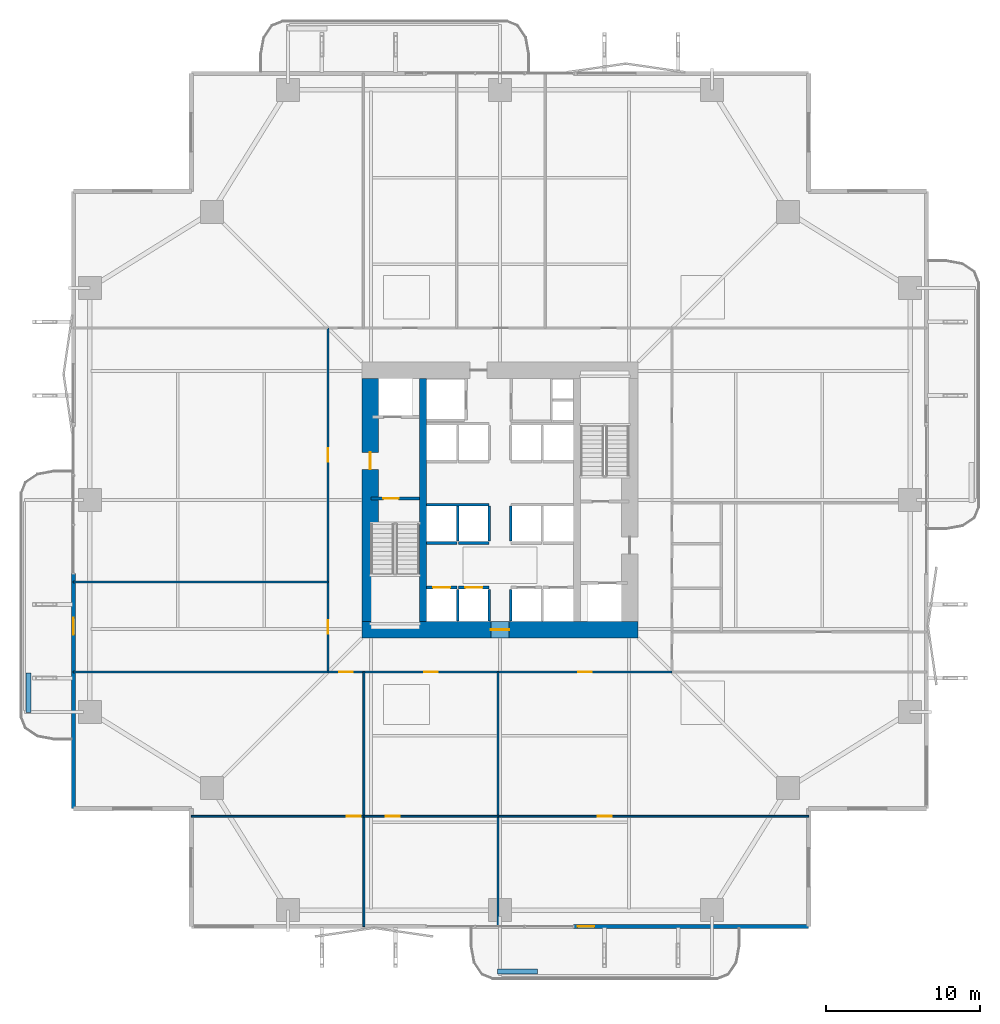
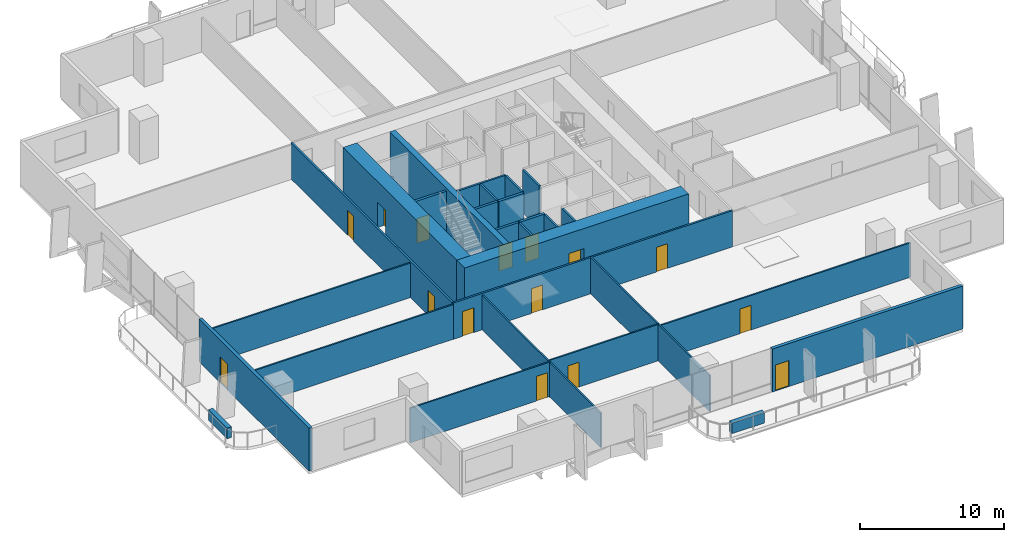
# One storey, part 17 of 24: 28 walls, 15 doors, 15 openings.
"""IFC4 building model written with IfcOpenShell, lengths in metres."""

import ifcopenshell
import ifcopenshell.guid

model = None  # the IFC model being written
_history = None  # IfcOwnerHistory: only IFC2X3 demands one
_inside = {}  # id of a spatial element -> (the spatial element, [elements in it])
_under = {}  # id of a project, library or spatial element -> (it, [spatial elements below it])
_declared = {}  # id of a project -> (the project, [libraries it declares])
_typed = {}  # id of a type object -> (the type object, [elements of that type])
_made_of = {}  # id of a material, layer set ... -> (it, [elements and type objects made of it])


def new_model(schema):
    """Start an empty IFC model of exactly this schema.

    Asked for "IFC4X3", IfcOpenShell would pick the latest addendum, in which some entities
    have other attributes; the version numbers below select the first issue.
    IFC2X3 requires an IfcOwnerHistory on every rooted entity: one is made here for all.
    """
    global model, _history
    if schema == "IFC4X3":
        model = ifcopenshell.file(schema_version=(4, 3, 0, 0))
    else:
        model = ifcopenshell.file(schema=schema)
    _inside.clear()
    _under.clear()
    _declared.clear()
    _typed.clear()
    _made_of.clear()
    _history = None
    if model.schema == "IFC2X3":
        org = make("IfcOrganization", Name="unknown")
        user = make(
            "IfcPersonAndOrganization",
            ThePerson=make("IfcPerson", FamilyName="unknown"),
            TheOrganization=org,
        )
        app = make(
            "IfcApplication",
            ApplicationDeveloper=org,
            Version="unknown",
            ApplicationFullName="unknown",
            ApplicationIdentifier="unknown",
        )
        _history = make(
            "IfcOwnerHistory",
            OwningUser=user,
            OwningApplication=app,
            ChangeAction="ADDED",
            CreationDate=0,
        )
    return model


def make(cls, **values):
    """One entity of the class cls with the attributes given. An attribute that is None is left unset."""
    return model.create_entity(
        cls, **{name: value for name, value in values.items() if value is not None}
    )


def rooted(cls, **values):
    """An entity with a GlobalId (a new one), such as an element, a storey or a relation."""
    return make(cls, GlobalId=ifcopenshell.guid.new(), OwnerHistory=_history, **values)


def si_unit(unit_type, name, prefix=None):
    """IfcSIUnit, for example si_unit("LENGTHUNIT", "METRE", prefix="MILLI")."""
    return make("IfcSIUnit", UnitType=unit_type, Prefix=prefix, Name=name)


def assignment(units):
    """IfcUnitAssignment: the units of a project."""
    return None if units is None else make("IfcUnitAssignment", Units=units)


def point(xyz):
    """IfcCartesianPoint."""
    return None if xyz is None else make("IfcCartesianPoint", Coordinates=xyz)


def direction(xyz):
    """IfcDirection."""
    return None if xyz is None else make("IfcDirection", DirectionRatios=xyz)


def frame(location, z_axis=None, x_axis=None):
    """IfcAxis2Placement3D, a coordinate frame: its origin and axes. An axis left out is left unset."""
    return make(
        "IfcAxis2Placement3D",
        Location=point(location),
        Axis=direction(z_axis),
        RefDirection=direction(x_axis),
    )


def frame_2d(location, x_axis=None):
    """IfcAxis2Placement2D, a coordinate frame in the plane: its origin and x axis."""
    return make(
        "IfcAxis2Placement2D", Location=point(location), RefDirection=direction(x_axis)
    )


def origin():
    """The frame at (0, 0, 0) with its axes left unset."""
    return frame((0.0, 0.0, 0.0))


def place(relative_to, where):
    """IfcLocalPlacement: puts the frame where relative to a parent placement (None: the world)."""
    return make(
        "IfcLocalPlacement", PlacementRelTo=relative_to, RelativePlacement=where
    )


def context(
    kind, dimensions, precision=None, world=None, true_north=None, identifier=None
):
    """IfcGeometricRepresentationContext, for example the 3D "Model" context."""
    return make(
        "IfcGeometricRepresentationContext",
        ContextIdentifier=identifier,
        ContextType=kind,
        CoordinateSpaceDimension=dimensions,
        Precision=precision,
        WorldCoordinateSystem=world,
        TrueNorth=true_north,
    )


def subcontext(parent, identifier, kind, view, scale=None):
    """IfcGeometricRepresentationSubContext, for example "Body" below "Model"."""
    return make(
        "IfcGeometricRepresentationSubContext",
        ContextIdentifier=identifier,
        ContextType=kind,
        ParentContext=parent,
        TargetScale=scale,
        TargetView=view,
    )


def project(units=None, contexts=None):
    """IfcProject with its units and contexts."""
    return rooted(
        "IfcProject",
        Name="project",
        RepresentationContexts=contexts,
        UnitsInContext=assignment(units),
    )


def spatial(cls, under=None, at=None, **own):
    """A site, building, storey or space (cls), placed at a placement, below another one or the project."""
    s = rooted(cls, ObjectPlacement=at, **own)
    if under is not None:
        _under.setdefault(under.id(), (under, []))[1].append(s)
    return s


def profile(cls, at=None, kind="AREA", **sizes):
    """A parametric profile (cls). Its sizes go by their IFC names, for example OverallWidth=200.0."""
    return make(cls, ProfileType=kind, Position=at, **sizes)


def rectangle(**sizes):
    """IfcRectangleProfileDef."""
    return profile("IfcRectangleProfileDef", **sizes)


def extrude(swept, where, along, depth):
    """IfcExtrudedAreaSolid: the profile swept, set in the frame where, extruded along a direction by depth."""
    return make(
        "IfcExtrudedAreaSolid",
        SweptArea=swept,
        Position=where,
        ExtrudedDirection=direction(along),
        Depth=depth,
    )


def shape(context_of_items, identifier, shape_type, items):
    """IfcShapeRepresentation: the items that make up one representation, for example the "Body"."""
    return make(
        "IfcShapeRepresentation",
        ContextOfItems=context_of_items,
        RepresentationIdentifier=identifier,
        RepresentationType=shape_type,
        Items=items,
    )


def material(Name=None, Category=None):
    """IfcMaterial."""
    return make("IfcMaterial", Name=Name, Category=Category)


def layer(
    of_material, thickness, ventilated=None, Name=None, Category=None, Priority=None
):
    """IfcMaterialLayer: one layer of a wall or slab, of a material (None: an air gap)."""
    return make(
        "IfcMaterialLayer",
        Material=of_material,
        LayerThickness=thickness,
        IsVentilated=ventilated,
        Name=Name,
        Category=Category,
        Priority=Priority,
    )


def layer_set(layers, Name=None):
    """IfcMaterialLayerSet."""
    return make("IfcMaterialLayerSet", MaterialLayers=layers, LayerSetName=Name)


def made_of(thing, what):
    """Note that an element or type object is made of a material, layer set ...; save() writes the relation."""
    if what is not None:
        _made_of.setdefault(what.id(), (what, []))[1].append(thing)
    return thing


def type_object(cls, material=None, **own):
    """A type object (cls), such as IfcWallType, which elements share."""
    return made_of(rooted(cls, **own), material)


def element(
    cls,
    number,
    at=None,
    inside=None,
    cuts=None,
    type_object=None,
    material=None,
    context=None,
    identifier="Body",
    shape_type=None,
    held_by="IfcProductDefinitionShape",
    body=None,
    shapes=None,
    **own,
):
    """One element of the class cls, such as IfcWall. Its Tag is "e" and its number.

    at: its placement. inside: the storey or other place that contains it. cuts: it is an
    opening in that element (IfcRelVoidsElement). A single representation is given by context,
    identifier, shape_type and body (its items); several are given by shapes. held_by: the class
    of the entity that holds the representations. save() writes the other relations.
    """
    e = rooted(cls, Tag="e%d" % number, ObjectPlacement=at, **own)
    if body is not None:
        shapes = [shape(context, identifier, shape_type, body)]
    if shapes is not None:
        e.Representation = make(held_by, Representations=shapes)
    if inside is not None:
        _inside.setdefault(inside.id(), (inside, []))[1].append(e)
    if cuts is not None:
        rooted(
            "IfcRelVoidsElement", RelatingBuildingElement=cuts, RelatedOpeningElement=e
        )
    if type_object is not None:
        _typed.setdefault(type_object.id(), (type_object, []))[1].append(e)
    return made_of(e, material)


def fill(opening, filler):
    """IfcRelFillsElement: the door or window that sits in an opening."""
    return rooted(
        "IfcRelFillsElement",
        RelatingOpeningElement=opening,
        RelatedBuildingElement=filler,
    )


def aggregate(whole, parts):
    """IfcRelAggregates: a whole, such as a stair, and the parts it consists of."""
    return rooted("IfcRelAggregates", RelatingObject=whole, RelatedObjects=parts)


def save(model, path):
    """Write the relations noted so far, then the file.

    IfcRelAggregates (storeys below a building ...), IfcRelContainedInSpatialStructure (elements
    in a storey), IfcRelDefinesByType, IfcRelAssociatesMaterial and IfcRelDeclares: one each for
    every whole, place, type object, material and project.
    """
    for whole, parts in _under.values():
        aggregate(whole, parts)
    for where, things in _inside.values():
        rooted(
            "IfcRelContainedInSpatialStructure",
            RelatedElements=things,
            RelatingStructure=where,
        )
    for kind, things in _typed.values():
        rooted("IfcRelDefinesByType", RelatedObjects=things, RelatingType=kind)
    for what, things in _made_of.values():
        rooted("IfcRelAssociatesMaterial", RelatedObjects=things, RelatingMaterial=what)
    for by, libraries in _declared.values():
        rooted("IfcRelDeclares", RelatingContext=by, RelatedDefinitions=libraries)
    model.write(path)


model = new_model("IFC4")

# Units and contexts
model_context = context("Model", 3, precision=1e-05, world=origin(), true_north=direction((0.0, 1.0)))
body_context = subcontext(model_context, "Body", "Model", "MODEL_VIEW")
ifc_project = project(units=[si_unit("LENGTHUNIT", "METRE"), si_unit("AREAUNIT", "SQUARE_METRE"), si_unit("VOLUMEUNIT", "CUBIC_METRE"), si_unit("PLANEANGLEUNIT", "RADIAN"), si_unit("MASSUNIT", "GRAM", prefix="KILO")], contexts=[model_context])

# Site, building, storey
site_placement = place(None, origin())
site = spatial("IfcSite", under=ifc_project, at=site_placement, CompositionType="ELEMENT")
building_placement = place(site_placement, origin())
building = spatial("IfcBuilding", under=site, at=building_placement, Name="Belovzor Exchange Tower", CompositionType="ELEMENT")
storey_placement = place(building_placement, frame((0.0, 0.0, 61.199951171875)))
storey = spatial("IfcBuildingStorey", under=building, at=storey_placement, Name="L14", CompositionType="ELEMENT", Elevation=61.199951171875)

# Wall, opening, door
ifc_material_1 = material(Name="Acoustic Plasterboard on Galvanised Studs", Category="gypsum")
ifc_layer_1 = layer(ifc_material_1, 0.1201171875)
ifc_layer_set_1 = layer_set([ifc_layer_1], Name="Acoustic Plasterboard on Galvanised Studs")
wall_type_1 = type_object("IfcWallType", Name="Acoustic Double-Stud Partition Wall 120", PredefinedType="PARTITIONING", material=ifc_layer_set_1)
wall_1_placement = place(storey_placement, frame((8.699951171875, 8.2119140625, 0.0), z_axis=(0.0, 0.0, 1.0), x_axis=(1.0, 0.0, 0.0)))
wall_1 = element("IfcWall", 1, at=wall_1_placement, inside=storey, type_object=wall_type_1, Name="W-P120 Partition Wall W-L14-SHDIV-0", PredefinedType="PARTITIONING", context=body_context, shape_type="SweptSolid", body=[
    extrude(rectangle(XDim=11.239013671875, YDim=0.1201171875, at=frame_2d((5.61962890625, 0.0))), origin(), (0.0, 0.0, 1.0), 2.93505859375),
])
opening_1_placement = place(wall_1_placement, frame((10.138916015625, 0.0, 0.0)))
opening_1 = element("IfcOpeningElement", 2, at=opening_1_placement, cuts=wall_1, Name="Opening D-INT-090", PredefinedType="OPENING", context=body_context, shape_type="SweptSolid", body=[
    extrude(rectangle(XDim=0.89990234375, YDim=2.10009765625, at=frame_2d((0.449951171875, 1.050048828125))), frame((0.0, 0.070068359375, 0.0), z_axis=(0.0, -1.0, 0.0), x_axis=(1.0, 0.0, 0.0)), (0.0, 0.0, 1.0), 0.14013671875),
])
ifc_material_2 = material(Name="Veneered Hardwood Acoustic Leaf", Category="wood")
door_type_1 = type_object("IfcDoorType", Name="Trading Suite Acoustic Single Door 900x2100", OperationType="NOTDEFINED", PredefinedType="DOOR", material=ifc_material_2)
door_1_placement = place(opening_1_placement, origin())
door_1 = element("IfcDoor", 3, at=door_1_placement, inside=storey, type_object=door_type_1, Name="D-INT-090 Trading Suite Acoustic Single Door 900x2100", OperationType="SINGLE_SWING_LEFT", OverallHeight=2.10009765625, OverallWidth=0.89990234375, PredefinedType="DOOR", context=body_context, shape_type="SweptSolid", body=[
    extrude(rectangle(XDim=0.89990234375, YDim=2.10009765625, at=frame_2d((0.449951171875, 1.050048828125))), frame((0.0, 0.02490234375, 0.0), z_axis=(0.0, -1.0, 0.0), x_axis=(1.0, 0.0, 0.0)), (0.0, 0.0, 1.0), 0.050048828125),
])
fill(opening_1, door_1)

# Wall
wall_2_placement = place(storey_placement, frame((19.93896484375, 1.030029296875, 0.0), z_axis=(0.0, 0.0, 1.0), x_axis=(0.0, 1.0, 0.0)))
element("IfcWall", 4, at=wall_2_placement, inside=storey, type_object=wall_type_1, Name="W-P120 Partition Wall W-L14-SDIV-1", PredefinedType="PARTITIONING", context=body_context, shape_type="SweptSolid", body=[
    extrude(rectangle(XDim=16.570068359375, YDim=0.1201171875, at=frame_2d((8.28515625, 0.0))), origin(), (0.0, 0.0, 1.0), 2.93505859375),
])

# Wall, opening, door
wall_3_placement = place(storey_placement, frame((19.93896484375, 8.2119140625, 0.0), z_axis=(0.0, 0.0, 1.0), x_axis=(1.0, 0.0, 0.0)))
wall_3 = element("IfcWall", 5, at=wall_3_placement, inside=storey, type_object=wall_type_1, Name="W-P120 Partition Wall W-L14-SHDIV-1", PredefinedType="PARTITIONING", context=body_context, shape_type="SweptSolid", body=[
    extrude(rectangle(XDim=8.73095703125, YDim=0.1201171875, at=frame_2d((4.365478515625, 0.0))), origin(), (0.0, 0.0, 1.0), 3.0849609375),
])
opening_2_placement = place(wall_3_placement, frame((1.43896484375, 0.0, 0.0)))
opening_2 = element("IfcOpeningElement", 6, at=opening_2_placement, cuts=wall_3, Name="Opening D-INT-090", PredefinedType="OPENING", context=body_context, shape_type="SweptSolid", body=[
    extrude(rectangle(XDim=0.89990234375, YDim=2.10009765625, at=frame_2d((0.449951171875, 1.050048828125))), frame((0.0, 0.070068359375, 0.0), z_axis=(0.0, -1.0, 0.0), x_axis=(1.0, 0.0, 0.0)), (0.0, 0.0, 1.0), 0.14013671875),
])
door_2_placement = place(opening_2_placement, origin())
door_2 = element("IfcDoor", 7, at=door_2_placement, inside=storey, type_object=door_type_1, Name="D-INT-090 Trading Suite Acoustic Single Door 900x2100", OperationType="SINGLE_SWING_LEFT", OverallHeight=2.10009765625, OverallWidth=0.89990234375, PredefinedType="DOOR", context=body_context, shape_type="SweptSolid", body=[
    extrude(rectangle(XDim=0.89990234375, YDim=2.10009765625, at=frame_2d((0.449951171875, 1.050048828125))), frame((0.0, 0.02490234375, 0.0), z_axis=(0.0, -1.0, 0.0), x_axis=(1.0, 0.0, 0.0)), (0.0, 0.0, 1.0), 0.050048828125),
])
fill(opening_2, door_2)

# Wall
wall_4_placement = place(storey_placement, frame((28.669921875, 1.030029296875, 0.0), z_axis=(0.0, 0.0, 1.0), x_axis=(0.0, 1.0, 0.0)))
element("IfcWall", 8, at=wall_4_placement, inside=storey, type_object=wall_type_1, Name="W-P120 Partition Wall W-L14-SDIV-2", PredefinedType="PARTITIONING", context=body_context, shape_type="SweptSolid", body=[
    extrude(rectangle(XDim=16.570068359375, YDim=0.1201171875, at=frame_2d((8.28515625, 0.0))), origin(), (0.0, 0.0, 1.0), 3.0849609375),
])

# Wall, opening, door
wall_5_placement = place(storey_placement, frame((28.669921875, 8.2119140625, 0.0), z_axis=(0.0, 0.0, 1.0), x_axis=(1.0, 0.0, 0.0)))
wall_5 = element("IfcWall", 9, at=wall_5_placement, inside=storey, type_object=wall_type_1, Name="W-P120 Partition Wall W-L14-SHDIV-2", PredefinedType="PARTITIONING", context=body_context, shape_type="SweptSolid", body=[
    extrude(rectangle(XDim=20.22998046875, YDim=0.1201171875, at=frame_2d((10.114990234375, 0.0))), origin(), (0.0, 0.0, 1.0), 2.93505859375),
])
opening_3_placement = place(wall_5_placement, frame((6.510009765625, 0.0, 0.0)))
opening_3 = element("IfcOpeningElement", 10, at=opening_3_placement, cuts=wall_5, Name="Opening D-INT-090", PredefinedType="OPENING", context=body_context, shape_type="SweptSolid", body=[
    extrude(rectangle(XDim=0.89990234375, YDim=2.10009765625, at=frame_2d((0.449951171875, 1.050048828125))), frame((0.0, 0.070068359375, 0.0), z_axis=(0.0, -1.0, 0.0), x_axis=(1.0, 0.0, 0.0)), (0.0, 0.0, 1.0), 0.14013671875),
])
door_3_placement = place(opening_3_placement, origin())
door_3 = element("IfcDoor", 11, at=door_3_placement, inside=storey, type_object=door_type_1, Name="D-INT-090 Trading Suite Acoustic Single Door 900x2100", OperationType="SINGLE_SWING_LEFT", OverallHeight=2.10009765625, OverallWidth=0.89990234375, PredefinedType="DOOR", context=body_context, shape_type="SweptSolid", body=[
    extrude(rectangle(XDim=0.89990234375, YDim=2.10009765625, at=frame_2d((0.449951171875, 1.050048828125))), frame((0.0, 0.02490234375, 0.0), z_axis=(0.0, -1.0, 0.0), x_axis=(1.0, 0.0, 0.0)), (0.0, 0.0, 1.0), 0.050048828125),
])
fill(opening_3, door_3)

# Walls
for number, where, z_axis, x_axis, name in (
    (12, (1.030029296875, 17.60009765625, 0.0), (0.0, 0.0, 1.0), (1.0, 0.0, 0.0), "W-P120 Partition Wall W-L14-END-SW"),
    (13, (1.030029296875, 23.4599609375, 0.0), (0.0, 0.0, 1.0), (1.0, 0.0, 0.0), "W-P120 Partition Wall W-L14-WDIV-1"),
):
    element("IfcWall", number, at=place(storey_placement, frame(where, z_axis=z_axis, x_axis=x_axis)), inside=storey, type_object=wall_type_1, Name=name, PredefinedType="PARTITIONING", context=body_context, shape_type="SweptSolid", body=[
        extrude(rectangle(XDim=16.570068359375, YDim=0.1201171875, at=frame_2d((8.28515625, 0.0))), origin(), (0.0, 0.0, 1.0), 2.93505859375),
    ])

# Wall, openings, doors
ifc_material_3 = material(Name="Fire-Rated Gypsum Block and Mineral Wool", Category="gypsum")
ifc_layer_2 = layer(ifc_material_3, 0.14990234375)
ifc_layer_set_2 = layer_set([ifc_layer_2], Name="Fire-Rated Gypsum Block and Mineral Wool")
wall_type_2 = type_object("IfcWallType", Name="Fire-Rated Gypsum Block Corridor Wall 150", PredefinedType="PARTITIONING", material=ifc_layer_set_2)
wall_6_placement = place(storey_placement, frame((17.60009765625, 17.60009765625, 0.0), z_axis=(0.0, 0.0, 1.0), x_axis=(1.0, 0.0, 0.0)))
wall_6 = element("IfcWall", 14, at=wall_6_placement, inside=storey, type_object=wall_type_2, Name="W-P150 Partition Wall W-L14-CS", PredefinedType="PARTITIONING", context=body_context, shape_type="SweptSolid", body=[
    extrude(rectangle(XDim=22.39990234375, YDim=0.14990234375, at=frame_2d((11.199951171875, 0.0))), origin(), (0.0, 0.0, 1.0), 3.0849609375),
])
opening_4_placement = place(wall_6_placement, frame((0.719970703125, 0.0, 0.0)))
opening_4 = element("IfcOpeningElement", 15, at=opening_4_placement, cuts=wall_6, Name="Opening D-INT-090", PredefinedType="OPENING", context=body_context, shape_type="SweptSolid", body=[
    extrude(rectangle(XDim=0.89990234375, YDim=2.10009765625, at=frame_2d((0.449951171875, 1.050048828125))), frame((0.0, 0.0849609375, 0.0), z_axis=(0.0, -1.0, 0.0), x_axis=(1.0, 0.0, 0.0)), (0.0, 0.0, 1.0), 0.169921875),
])
opening_5_placement = place(wall_6_placement, frame((6.2548828125, 0.0, 0.0)))
opening_5 = element("IfcOpeningElement", 16, at=opening_5_placement, cuts=wall_6, Name="Opening D-INT-090", PredefinedType="OPENING", context=body_context, shape_type="SweptSolid", body=[
    extrude(rectangle(XDim=0.89990234375, YDim=2.10009765625, at=frame_2d((0.449951171875, 1.050048828125))), frame((0.0, 0.0849609375, 0.0), z_axis=(0.0, -1.0, 0.0), x_axis=(1.0, 0.0, 0.0)), (0.0, 0.0, 1.0), 0.169921875),
])
opening_6_placement = place(wall_6_placement, frame((16.284912109375, 0.0, 0.0)))
opening_6 = element("IfcOpeningElement", 17, at=opening_6_placement, cuts=wall_6, Name="Opening D-INT-090", PredefinedType="OPENING", context=body_context, shape_type="SweptSolid", body=[
    extrude(rectangle(XDim=0.89990234375, YDim=2.10009765625, at=frame_2d((0.449951171875, 1.050048828125))), frame((0.0, 0.0849609375, 0.0), z_axis=(0.0, -1.0, 0.0), x_axis=(1.0, 0.0, 0.0)), (0.0, 0.0, 1.0), 0.169921875),
])
door_4_placement = place(opening_4_placement, origin())
door_4 = element("IfcDoor", 18, at=door_4_placement, inside=storey, type_object=door_type_1, Name="D-INT-090 Trading Suite Acoustic Single Door 900x2100", OperationType="SINGLE_SWING_RIGHT", OverallHeight=2.10009765625, OverallWidth=0.89990234375, PredefinedType="DOOR", context=body_context, shape_type="SweptSolid", body=[
    extrude(rectangle(XDim=0.89990234375, YDim=2.10009765625, at=frame_2d((0.449951171875, 1.050048828125))), frame((0.0, 0.02490234375, 0.0), z_axis=(0.0, -1.0, 0.0), x_axis=(1.0, 0.0, 0.0)), (0.0, 0.0, 1.0), 0.050048828125),
])
fill(opening_4, door_4)
door_5_placement = place(opening_5_placement, origin())
door_5 = element("IfcDoor", 19, at=door_5_placement, inside=storey, type_object=door_type_1, Name="D-INT-090 Trading Suite Acoustic Single Door 900x2100", OperationType="SINGLE_SWING_LEFT", OverallHeight=2.10009765625, OverallWidth=0.89990234375, PredefinedType="DOOR", context=body_context, shape_type="SweptSolid", body=[
    extrude(rectangle(XDim=0.89990234375, YDim=2.10009765625, at=frame_2d((0.449951171875, 1.050048828125))), frame((0.0, 0.02490234375, 0.0), z_axis=(0.0, -1.0, 0.0), x_axis=(1.0, 0.0, 0.0)), (0.0, 0.0, 1.0), 0.050048828125),
])
fill(opening_5, door_5)
door_6_placement = place(opening_6_placement, origin())
door_6 = element("IfcDoor", 20, at=door_6_placement, inside=storey, type_object=door_type_1, Name="D-INT-090 Trading Suite Acoustic Single Door 900x2100", OperationType="SINGLE_SWING_RIGHT", OverallHeight=2.10009765625, OverallWidth=0.89990234375, PredefinedType="DOOR", context=body_context, shape_type="SweptSolid", body=[
    extrude(rectangle(XDim=0.89990234375, YDim=2.10009765625, at=frame_2d((0.449951171875, 1.050048828125))), frame((0.0, 0.02490234375, 0.0), z_axis=(0.0, -1.0, 0.0), x_axis=(1.0, 0.0, 0.0)), (0.0, 0.0, 1.0), 0.050048828125),
])
fill(opening_6, door_6)

wall_7_placement = place(storey_placement, frame((17.60009765625, 17.60009765625, 0.0), z_axis=(0.0, 0.0, 1.0), x_axis=(0.0, 1.0, 0.0)))
wall_7 = element("IfcWall", 21, at=wall_7_placement, inside=storey, type_object=wall_type_2, Name="W-P150 Partition Wall W-L14-CW", PredefinedType="PARTITIONING", context=body_context, shape_type="SweptSolid", body=[
    extrude(rectangle(XDim=22.39990234375, YDim=0.14990234375, at=frame_2d((11.199951171875, 0.0))), origin(), (0.0, 0.0, 1.0), 3.0849609375),
])
opening_7_placement = place(wall_7_placement, frame((2.47998046875, 0.0, 0.0)))
opening_7 = element("IfcOpeningElement", 22, at=opening_7_placement, cuts=wall_7, Name="Opening D-INT-090", PredefinedType="OPENING", context=body_context, shape_type="SweptSolid", body=[
    extrude(rectangle(XDim=0.89990234375, YDim=2.10009765625, at=frame_2d((0.449951171875, 1.050048828125))), frame((0.0, 0.0849609375, 0.0), z_axis=(0.0, -1.0, 0.0), x_axis=(1.0, 0.0, 0.0)), (0.0, 0.0, 1.0), 0.169921875),
])
opening_8_placement = place(wall_7_placement, frame((13.679931640625, 0.0, 0.0)))
opening_8 = element("IfcOpeningElement", 23, at=opening_8_placement, cuts=wall_7, Name="Opening D-INT-090", PredefinedType="OPENING", context=body_context, shape_type="SweptSolid", body=[
    extrude(rectangle(XDim=0.89990234375, YDim=2.10009765625, at=frame_2d((0.449951171875, 1.050048828125))), frame((0.0, 0.0849609375, 0.0), z_axis=(0.0, -1.0, 0.0), x_axis=(1.0, 0.0, 0.0)), (0.0, 0.0, 1.0), 0.169921875),
])
door_7_placement = place(opening_7_placement, origin())
door_7 = element("IfcDoor", 24, at=door_7_placement, inside=storey, type_object=door_type_1, Name="D-INT-090 Trading Suite Acoustic Single Door 900x2100", OperationType="SINGLE_SWING_RIGHT", OverallHeight=2.10009765625, OverallWidth=0.89990234375, PredefinedType="DOOR", context=body_context, shape_type="SweptSolid", body=[
    extrude(rectangle(XDim=0.89990234375, YDim=2.10009765625, at=frame_2d((0.449951171875, 1.050048828125))), frame((0.0, 0.02490234375, 0.0), z_axis=(0.0, -1.0, 0.0), x_axis=(1.0, 0.0, 0.0)), (0.0, 0.0, 1.0), 0.050048828125),
])
fill(opening_7, door_7)
door_8_placement = place(opening_8_placement, origin())
door_8 = element("IfcDoor", 25, at=door_8_placement, inside=storey, type_object=door_type_1, Name="D-INT-090 Trading Suite Acoustic Single Door 900x2100", OperationType="SINGLE_SWING_LEFT", OverallHeight=2.10009765625, OverallWidth=0.89990234375, PredefinedType="DOOR", context=body_context, shape_type="SweptSolid", body=[
    extrude(rectangle(XDim=0.89990234375, YDim=2.10009765625, at=frame_2d((0.449951171875, 1.050048828125))), frame((0.0, 0.02490234375, 0.0), z_axis=(0.0, -1.0, 0.0), x_axis=(1.0, 0.0, 0.0)), (0.0, 0.0, 1.0), 0.050048828125),
])
fill(opening_8, door_8)

# Wall, opening, door
ifc_material_4 = material(Name="Precast concrete C40/50", Category="concrete")
ifc_layer_3 = layer(ifc_material_4, 0.260009765625)
ifc_layer_set_3 = layer_set([ifc_layer_3], Name="Precast concrete C40/50")
wall_type_3 = type_object("IfcWallType", Name="Precast Concrete Perimeter Loggia Frame Wall 260", PredefinedType="SOLIDWALL", material=ifc_layer_set_3)
wall_8_placement = place(storey_placement, frame((48.89990234375, 1.030029296875, 0.0), z_axis=(0.0, 0.0, 1.0), x_axis=(-1.0, 0.0, 0.0)))
wall_8 = element("IfcWall", 26, at=wall_8_placement, inside=storey, type_object=wall_type_3, Name="W-EXT260 Precast Concrete Perimeter Loggia Frame Wall 260 L14", PredefinedType="SOLIDWALL", context=body_context, shape_type="SweptSolid", body=[
    extrude(rectangle(XDim=15.2998046875, YDim=0.260009765625, at=frame_2d((7.64990234375, 0.0))), origin(), (0.0, 0.0, 1.0), 3.650146484375),
])
opening_9_placement = place(wall_8_placement, frame((13.949951171875, 0.0, 0.0)))
opening_9 = element("IfcOpeningElement", 27, at=opening_9_placement, cuts=wall_8, Name="Opening D-BAL110", PredefinedType="OPENING", context=body_context, shape_type="SweptSolid", body=[
    extrude(rectangle(XDim=1.10009765625, YDim=2.199951171875, at=frame_2d((0.550048828125, 1.10009765625))), frame((0.0, 0.139892578125, 0.0), z_axis=(0.0, -1.0, 0.0), x_axis=(1.0, 0.0, 0.0)), (0.0, 0.0, 1.0), 0.280029296875),
])
ifc_material_5 = material(Name="Thermally Broken Anodised Aluminium and Laminated Glass", Category="aluminium")
door_type_2 = type_object("IfcDoorType", Name="Planted Loggia Terrace Glazed Door 1100x2200", OperationType="SINGLE_SWING_LEFT", PredefinedType="DOOR", material=ifc_material_5)
door_9_placement = place(opening_9_placement, origin())
door_9 = element("IfcDoor", 28, at=door_9_placement, inside=storey, type_object=door_type_2, Name="D-BAL110 Balcony Terrace Door L14 S", OperationType="SINGLE_SWING_LEFT", OverallHeight=2.199951171875, OverallWidth=1.10009765625, PredefinedType="DOOR", context=body_context, shape_type="SweptSolid", body=[
    extrude(rectangle(XDim=1.10009765625, YDim=2.199951171875, at=frame_2d((0.550048828125, 1.10009765625))), frame((0.0, 0.02490234375, 0.0), z_axis=(0.0, -1.0, 0.0), x_axis=(1.0, 0.0, 0.0)), (0.0, 0.0, 1.0), 0.050048828125),
])
fill(opening_9, door_9)

wall_9_placement = place(storey_placement, frame((1.030029296875, 8.699951171875, 0.0), z_axis=(0.0, 0.0, 1.0), x_axis=(0.0, 1.0, 0.0)))
wall_9 = element("IfcWall", 29, at=wall_9_placement, inside=storey, type_object=wall_type_3, Name="W-EXT260 Precast Concrete Perimeter Loggia Frame Wall 260 L14", PredefinedType="SOLIDWALL", context=body_context, shape_type="SweptSolid", body=[
    extrude(rectangle(XDim=15.300048828125, YDim=0.260009765625, at=frame_2d((7.64990234375, 0.0))), origin(), (0.0, 0.0, 1.0), 3.650146484375),
])
opening_10_placement = place(wall_9_placement, frame((11.319091796875, 0.0, 0.0)))
opening_10 = element("IfcOpeningElement", 30, at=opening_10_placement, cuts=wall_9, Name="Opening D-BAL110", PredefinedType="OPENING", context=body_context, shape_type="SweptSolid", body=[
    extrude(rectangle(XDim=1.10009765625, YDim=2.199951171875, at=frame_2d((0.550048828125, 1.10009765625))), frame((0.0, 0.139892578125, 0.0), z_axis=(0.0, -1.0, 0.0), x_axis=(1.0, 0.0, 0.0)), (0.0, 0.0, 1.0), 0.280029296875),
])
door_10_placement = place(opening_10_placement, origin())
door_10 = element("IfcDoor", 31, at=door_10_placement, inside=storey, type_object=door_type_2, Name="D-BAL110 Balcony Terrace Door L14 W", OperationType="SINGLE_SWING_RIGHT", OverallHeight=2.199951171875, OverallWidth=1.10009765625, PredefinedType="DOOR", context=body_context, shape_type="SweptSolid", body=[
    extrude(rectangle(XDim=1.10009765625, YDim=2.199951171875, at=frame_2d((0.550048828125, 1.10009765625))), frame((0.0, 0.02490234375, 0.0), z_axis=(0.0, -1.0, 0.0), x_axis=(1.0, 0.0, 0.0)), (0.0, 0.0, 1.0), 0.050048828125),
])
fill(opening_10, door_10)

# Walls
ifc_material_6 = material(Name="Precast concrete C40/50", Category="concrete")
ifc_layer_4 = layer(ifc_material_6, 0.35009765625)
ifc_layer_set_4 = layer_set([ifc_layer_4], Name="Precast concrete C40/50")
wall_type_4 = type_object("IfcWallType", Name="Precast Concrete Structural Tree Planter Trough 350", PredefinedType="PARAPET", material=ifc_layer_set_4)
for number, where, z_axis, x_axis, name in (
    (32, (28.64990234375, -1.89990234375, 0.0), (0.0, 0.0, 1.0), (1.0, 0.0, 0.0), "PT-350 Precast Concrete Structural Tree Planter Trough 350 L14"),
    (33, (-1.89990234375, 14.949951171875, 0.0), (0.0, 0.0, 1.0), (0.0, 1.0, 0.0), "PT-350 Precast Concrete Structural Tree Planter Trough 350 L14"),
):
    element("IfcWall", number, at=place(storey_placement, frame(where, z_axis=z_axis, x_axis=x_axis)), inside=storey, type_object=wall_type_4, Name=name, PredefinedType="PARAPET", context=body_context, shape_type="SweptSolid", body=[
        extrude(rectangle(XDim=2.60009765625, YDim=0.35009765625, at=frame_2d((1.300048828125, 0.0))), origin(), (0.0, 0.0, 1.0), 0.900146484375),
    ])
ifc_material_7 = material(Name="Concrete C50/60", Category="concrete")
ifc_layer_5 = layer(ifc_material_7, 0.449951171875)
ifc_layer_set_5 = layer_set([ifc_layer_5], Name="Concrete C50/60")
wall_type_5 = type_object("IfcWallType", Name="Reinforced Concrete Core Internal Web Wall 450", PredefinedType="SHEAR", material=ifc_layer_set_5)
wall_10_placement = place(storey_placement, frame((23.77490234375, 20.89990234375, 0.0), z_axis=(0.0, 0.0, 1.0), x_axis=(0.0, 1.0, 0.0)))
element("IfcWall", 34, at=wall_10_placement, inside=storey, type_object=wall_type_5, Name="CW-W045 Core Internal Web Wall L14 WL", PredefinedType="SHEAR", context=body_context, shape_type="SweptSolid", body=[
    extrude(rectangle(XDim=15.800048828125, YDim=0.449951171875, at=frame_2d((7.89990234375, 0.0))), origin(), (0.0, 0.0, 1.0), 3.900146484375),
])
ifc_material_8 = material(Name="Concrete C50/60", Category="concrete")
ifc_layer_6 = layer(ifc_material_8, 0.14990234375)
ifc_layer_set_6 = layer_set([ifc_layer_6], Name="Concrete C50/60")
wall_type_6 = type_object("IfcWallType", Name="Reinforced Concrete Core Riser Shear Wall 150", PredefinedType="SHEAR", material=ifc_layer_set_6)
for number, where, z_axis, x_axis, name in (
    (35, (26.050048828125, 20.919921875, 0.0), (0.0, 0.0, 1.0), (0.0, 1.0, 0.0), "W-C150S Core Shaft Wall W-SHD-L14-PLL-1"),
    (36, (28.10009765625, 20.919921875, 0.0), (0.0, 0.0, 1.0), (0.0, 1.0, 0.0), "W-C150S Core Shaft Wall W-SHD-L14-PLL-2"),
    (37, (29.5, 20.919921875, 0.0), (0.0, 0.0, 1.0), (0.0, 1.0, 0.0), "W-C150S Core Shaft Wall W-SHD-L14-PLL-3"),
):
    element("IfcWall", number, at=place(storey_placement, frame(where, z_axis=z_axis, x_axis=x_axis)), inside=storey, type_object=wall_type_6, Name=name, PredefinedType="SHEAR", context=body_context, shape_type="SweptSolid", body=[
        extrude(rectangle(XDim=2.06005859375, YDim=0.14990234375, at=frame_2d((1.030029296875, 0.0))), origin(), (0.0, 0.0, 1.0), 3.650146484375),
    ])
wall_11_placement = place(storey_placement, frame((24.02001953125, 28.5, 0.0), z_axis=(0.0, 0.0, 1.0), x_axis=(1.0, 0.0, 0.0)))
element("IfcWall", 38, at=wall_11_placement, inside=storey, type_object=wall_type_6, Name="W-C150S Core Shaft Wall W-SHB-L14-PLM-NW", PredefinedType="SHEAR", context=body_context, shape_type="SweptSolid", body=[
    extrude(rectangle(XDim=4.080078125, YDim=0.14990234375, at=frame_2d((2.0400390625, 0.0))), origin(), (0.0, 0.0, 1.0), 3.650146484375),
])
for number, where, z_axis, x_axis, name in (
    (39, (26.050048828125, 26.1201171875, 0.0), (0.0, 0.0, 1.0), (0.0, 1.0, 0.0), "W-C150S Core Shaft Wall W-SHD-L14-PLM-1"),
    (40, (28.10009765625, 26.1201171875, 0.0), (0.0, 0.0, 1.0), (0.0, 1.0, 0.0), "W-C150S Core Shaft Wall W-SHD-L14-PLM-2"),
    (41, (29.5, 26.1201171875, 0.0), (0.0, 0.0, 1.0), (0.0, 1.0, 0.0), "W-C150S Core Shaft Wall W-SHD-L14-PLM-3"),
):
    element("IfcWall", number, at=place(storey_placement, frame(where, z_axis=z_axis, x_axis=x_axis)), inside=storey, type_object=wall_type_6, Name=name, PredefinedType="SHEAR", context=body_context, shape_type="SweptSolid", body=[
        extrude(rectangle(XDim=2.27978515625, YDim=0.14990234375, at=frame_2d((1.139892578125, 0.0))), origin(), (0.0, 0.0, 1.0), 3.650146484375),
    ])

# Wall, opening, door
ifc_material_9 = material(Name="Concrete C50/60", Category="concrete")
ifc_layer_7 = layer(ifc_material_9, 0.199951171875)
ifc_layer_set_7 = layer_set([ifc_layer_7], Name="Concrete C50/60")
wall_type_7 = type_object("IfcWallType", Name="Reinforced Concrete Core Shaft Shear Wall 200", PredefinedType="SHEAR", material=ifc_layer_set_7)
wall_12_placement = place(storey_placement, frame((20.39990234375, 28.89990234375, 0.0), z_axis=(0.0, 0.0, 1.0), x_axis=(1.0, 0.0, 0.0)))
wall_12 = element("IfcWall", 42, at=wall_12_placement, inside=storey, type_object=wall_type_7, Name="W-C200S Core Shaft Wall W-CORE-L14-FFLW1", PredefinedType="SHEAR", context=body_context, shape_type="SweptSolid", body=[
    extrude(rectangle(XDim=3.150146484375, YDim=0.199951171875, at=frame_2d((1.5751953125, 0.0))), origin(), (0.0, 0.0, 1.0), 3.650146484375),
])
opening_11_placement = place(wall_12_placement, frame((0.800048828125, 0.0, 0.0)))
opening_11 = element("IfcOpeningElement", 43, at=opening_11_placement, cuts=wall_12, Name="Opening D-FD90-100", PredefinedType="OPENING", context=body_context, shape_type="SweptSolid", body=[
    extrude(rectangle(XDim=1.0, YDim=2.10009765625, at=frame_2d((0.5, 1.050048828125))), frame((0.0, 0.10986328125, 0.0), z_axis=(0.0, -1.0, 0.0), x_axis=(1.0, 0.0, 0.0)), (0.0, 0.0, 1.0), 0.219970703125),
])
ifc_material_10 = material(Name="Fire-Rated Galvanised Steel Leaf", Category="steel")
door_type_3 = type_object("IfcDoorType", Name="Protected Stairwell Single Fire Door 1000x2100", OperationType="NOTDEFINED", PredefinedType="DOOR", material=ifc_material_10)
door_11_placement = place(opening_11_placement, origin())
door_11 = element("IfcDoor", 44, at=door_11_placement, inside=storey, type_object=door_type_3, Name="D-FD90-100 Protected Stairwell Single Fire Door 1000x2100", OperationType="SINGLE_SWING_RIGHT", OverallHeight=2.10009765625, OverallWidth=1.0, PredefinedType="DOOR", context=body_context, shape_type="SweptSolid", body=[
    extrude(rectangle(XDim=1.0, YDim=2.10009765625, at=frame_2d((0.5, 1.050048828125))), frame((0.0, 0.02490234375, 0.0), z_axis=(0.0, -1.0, 0.0), x_axis=(1.0, 0.0, 0.0)), (0.0, 0.0, 1.0), 0.050048828125),
])
fill(opening_11, door_11)

wall_13_placement = place(storey_placement, frame((24.0, 23.10009765625, 0.0), z_axis=(0.0, 0.0, 1.0), x_axis=(1.0, 0.0, 0.0)))
wall_13 = element("IfcWall", 45, at=wall_13_placement, inside=storey, type_object=wall_type_7, Name="W-C200S Core Shaft Wall W-SH-L14-PL-L1", PredefinedType="SHEAR", context=body_context, shape_type="SweptSolid", body=[
    extrude(rectangle(XDim=2.0, YDim=0.199951171875, at=frame_2d((1.0, 0.0))), origin(), (0.0, 0.0, 1.0), 3.650146484375),
])
opening_12_placement = place(wall_13_placement, frame((0.449951171875, 0.0, 0.0)))
opening_12 = element("IfcOpeningElement", 46, at=opening_12_placement, cuts=wall_13, Name="Opening LD-110", PredefinedType="OPENING", context=body_context, shape_type="SweptSolid", body=[
    extrude(rectangle(XDim=1.10009765625, YDim=2.14990234375, at=frame_2d((0.550048828125, 1.074951171875))), frame((0.0, 0.10986328125, 0.0), z_axis=(0.0, -1.0, 0.0), x_axis=(1.0, 0.0, 0.0)), (0.0, 0.0, 1.0), 0.219970703125),
])
ifc_material_11 = material(Name="Stainless Steel Grade 304", Category="steel")
door_type_4 = type_object("IfcDoorType", Name="Automated Stainless Steel Lift Landing Door 1100x2150", OperationType="SLIDING_TO_RIGHT", PredefinedType="DOOR", material=ifc_material_11)
door_12_placement = place(opening_12_placement, origin())
door_12 = element("IfcDoor", 47, at=door_12_placement, inside=storey, type_object=door_type_4, Name="LD-110 Automated Stainless Steel Lift Landing Door 1100x2150", OperationType="SLIDING_TO_RIGHT", OverallHeight=2.14990234375, OverallWidth=1.10009765625, PredefinedType="DOOR", context=body_context, shape_type="SweptSolid", body=[
    extrude(rectangle(XDim=1.10009765625, YDim=2.14990234375, at=frame_2d((0.550048828125, 1.074951171875))), frame((0.0, 0.02490234375, 0.0), z_axis=(0.0, -1.0, 0.0), x_axis=(1.0, 0.0, 0.0)), (0.0, 0.0, 1.0), 0.050048828125),
])
fill(opening_12, door_12)

wall_14_placement = place(storey_placement, frame((26.10009765625, 23.10009765625, 0.0), z_axis=(0.0, 0.0, 1.0), x_axis=(1.0, 0.0, 0.0)))
wall_14 = element("IfcWall", 48, at=wall_14_placement, inside=storey, type_object=wall_type_7, Name="W-C200S Core Shaft Wall W-SH-L14-PL-L2", PredefinedType="SHEAR", context=body_context, shape_type="SweptSolid", body=[
    extrude(rectangle(XDim=2.0, YDim=0.199951171875, at=frame_2d((1.0, 0.0))), origin(), (0.0, 0.0, 1.0), 3.650146484375),
])
opening_13_placement = place(wall_14_placement, frame((0.449951171875, 0.0, 0.0)))
opening_13 = element("IfcOpeningElement", 49, at=opening_13_placement, cuts=wall_14, Name="Opening LD-110", PredefinedType="OPENING", context=body_context, shape_type="SweptSolid", body=[
    extrude(rectangle(XDim=1.10009765625, YDim=2.14990234375, at=frame_2d((0.550048828125, 1.074951171875))), frame((0.0, 0.10986328125, 0.0), z_axis=(0.0, -1.0, 0.0), x_axis=(1.0, 0.0, 0.0)), (0.0, 0.0, 1.0), 0.219970703125),
])
door_13_placement = place(opening_13_placement, origin())
door_13 = element("IfcDoor", 50, at=door_13_placement, inside=storey, type_object=door_type_4, Name="LD-110 Automated Stainless Steel Lift Landing Door 1100x2150", OperationType="SLIDING_TO_RIGHT", OverallHeight=2.14990234375, OverallWidth=1.10009765625, PredefinedType="DOOR", context=body_context, shape_type="SweptSolid", body=[
    extrude(rectangle(XDim=1.10009765625, YDim=2.14990234375, at=frame_2d((0.550048828125, 1.074951171875))), frame((0.0, 0.02490234375, 0.0), z_axis=(0.0, -1.0, 0.0), x_axis=(1.0, 0.0, 0.0)), (0.0, 0.0, 1.0), 0.050048828125),
])
fill(opening_13, door_13)

# Walls
for number, where, z_axis, x_axis, name in (
    (51, (24.0, 26.0, 0.0), (0.0, 0.0, 1.0), (1.0, 0.0, 0.0), "W-C200S Core Shaft Wall W-SH-L14-PL-M1"),
    (52, (26.10009765625, 26.0, 0.0), (0.0, 0.0, 1.0), (1.0, 0.0, 0.0), "W-C200S Core Shaft Wall W-SH-L14-PL-M2"),
):
    element("IfcWall", number, at=place(storey_placement, frame(where, z_axis=z_axis, x_axis=x_axis)), inside=storey, type_object=wall_type_7, Name=name, PredefinedType="SHEAR", context=body_context, shape_type="SweptSolid", body=[
        extrude(rectangle(XDim=2.0, YDim=0.199951171875, at=frame_2d((1.0, 0.0))), origin(), (0.0, 0.0, 1.0), 3.650146484375),
    ])

# Wall, opening, door
ifc_material_12 = material(Name="Concrete C60/75", Category="concrete")
ifc_layer_8 = layer(ifc_material_12, 1.10009765625)
ifc_layer_set_8 = layer_set([ifc_layer_8], Name="Concrete C60/75")
wall_type_8 = type_object("IfcWallType", Name="Reinforced Concrete Core Shear Wall 1100", PredefinedType="SHEAR", material=ifc_layer_set_8)
wall_15_placement = place(storey_placement, frame((19.800048828125, 20.35009765625, 0.0), z_axis=(0.0, 0.0, 1.0), x_axis=(1.0, 0.0, 0.0)))
wall_15 = element("IfcWall", 53, at=wall_15_placement, inside=storey, type_object=wall_type_8, Name="CW-S110 Core Shear Wall L14 S", PredefinedType="SHEAR", context=body_context, shape_type="SweptSolid", body=[
    extrude(rectangle(XDim=18.0, YDim=1.10009765625, at=frame_2d((9.0, 0.0))), origin(), (0.0, 0.0, 1.0), 3.900146484375),
])
opening_14_placement = place(wall_15_placement, frame((8.39990234375, 0.0, 0.0)))
opening_14 = element("IfcOpeningElement", 54, at=opening_14_placement, cuts=wall_15, Name="Opening D-FD90-120", PredefinedType="OPENING", context=body_context, shape_type="SweptSolid", body=[
    extrude(rectangle(XDim=1.199951171875, YDim=2.199951171875, at=frame_2d((0.60009765625, 1.10009765625))), frame((0.0, 0.56005859375, 0.0), z_axis=(0.0, -1.0, 0.0), x_axis=(1.0, 0.0, 0.0)), (0.0, 0.0, 1.0), 1.1201171875),
])
ifc_material_13 = material(Name="Fire-Rated Galvanised Steel Leaf", Category="steel")
door_type_5 = type_object("IfcDoorType", Name="Heavy Plant & Foyer Fire Door 1200x2200", OperationType="NOTDEFINED", PredefinedType="DOOR", material=ifc_material_13)
door_14_placement = place(opening_14_placement, origin())
door_14 = element("IfcDoor", 55, at=door_14_placement, inside=storey, type_object=door_type_5, Name="D-FD90-120 Heavy Plant & Foyer Fire Door 1200x2200", OperationType="SINGLE_SWING_LEFT", OverallHeight=2.199951171875, OverallWidth=1.199951171875, PredefinedType="DOOR", context=body_context, shape_type="SweptSolid", body=[
    extrude(rectangle(XDim=1.199951171875, YDim=2.199951171875, at=frame_2d((0.60009765625, 1.10009765625))), frame((0.0, 0.02490234375, 0.0), z_axis=(0.0, -1.0, 0.0), x_axis=(1.0, 0.0, 0.0)), (0.0, 0.0, 1.0), 0.050048828125),
])
fill(opening_14, door_14)

wall_16_placement = place(storey_placement, frame((20.35009765625, 20.89990234375, 0.0), z_axis=(0.0, 0.0, 1.0), x_axis=(0.0, 1.0, 0.0)))
wall_16 = element("IfcWall", 56, at=wall_16_placement, inside=storey, type_object=wall_type_8, Name="CW-S110 Core Shear Wall L14 W", PredefinedType="SHEAR", context=body_context, shape_type="SweptSolid", body=[
    extrude(rectangle(XDim=15.800048828125, YDim=1.10009765625, at=frame_2d((7.89990234375, 0.0))), origin(), (0.0, 0.0, 1.0), 3.900146484375),
])
opening_15_placement = place(wall_16_placement, frame((9.89990234375, 0.0, 0.0)))
opening_15 = element("IfcOpeningElement", 57, at=opening_15_placement, cuts=wall_16, Name="Opening D-FD90-110", PredefinedType="OPENING", context=body_context, shape_type="SweptSolid", body=[
    extrude(rectangle(XDim=1.10009765625, YDim=2.14990234375, at=frame_2d((0.550048828125, 1.074951171875))), frame((0.0, 0.56005859375, 0.0), z_axis=(0.0, -1.0, 0.0), x_axis=(1.0, 0.0, 0.0)), (0.0, 0.0, 1.0), 1.1201171875),
])
ifc_material_14 = material(Name="Fire-Rated Galvanised Steel Leaf", Category="steel")
door_type_6 = type_object("IfcDoorType", Name="Protected Escape Vestibule Fire Door 1100x2150", OperationType="NOTDEFINED", PredefinedType="DOOR", material=ifc_material_14)
door_15_placement = place(opening_15_placement, origin())
door_15 = element("IfcDoor", 58, at=door_15_placement, inside=storey, type_object=door_type_6, Name="D-FD90-110 Protected Escape Vestibule Fire Door 1100x2150", OperationType="SINGLE_SWING_LEFT", OverallHeight=2.14990234375, OverallWidth=1.10009765625, PredefinedType="DOOR", context=body_context, shape_type="SweptSolid", body=[
    extrude(rectangle(XDim=1.10009765625, YDim=2.14990234375, at=frame_2d((0.550048828125, 1.074951171875))), frame((0.0, 0.02490234375, 0.0), z_axis=(0.0, -1.0, 0.0), x_axis=(1.0, 0.0, 0.0)), (0.0, 0.0, 1.0), 0.050048828125),
])
fill(opening_15, door_15)

save(model, "model.ifc")
